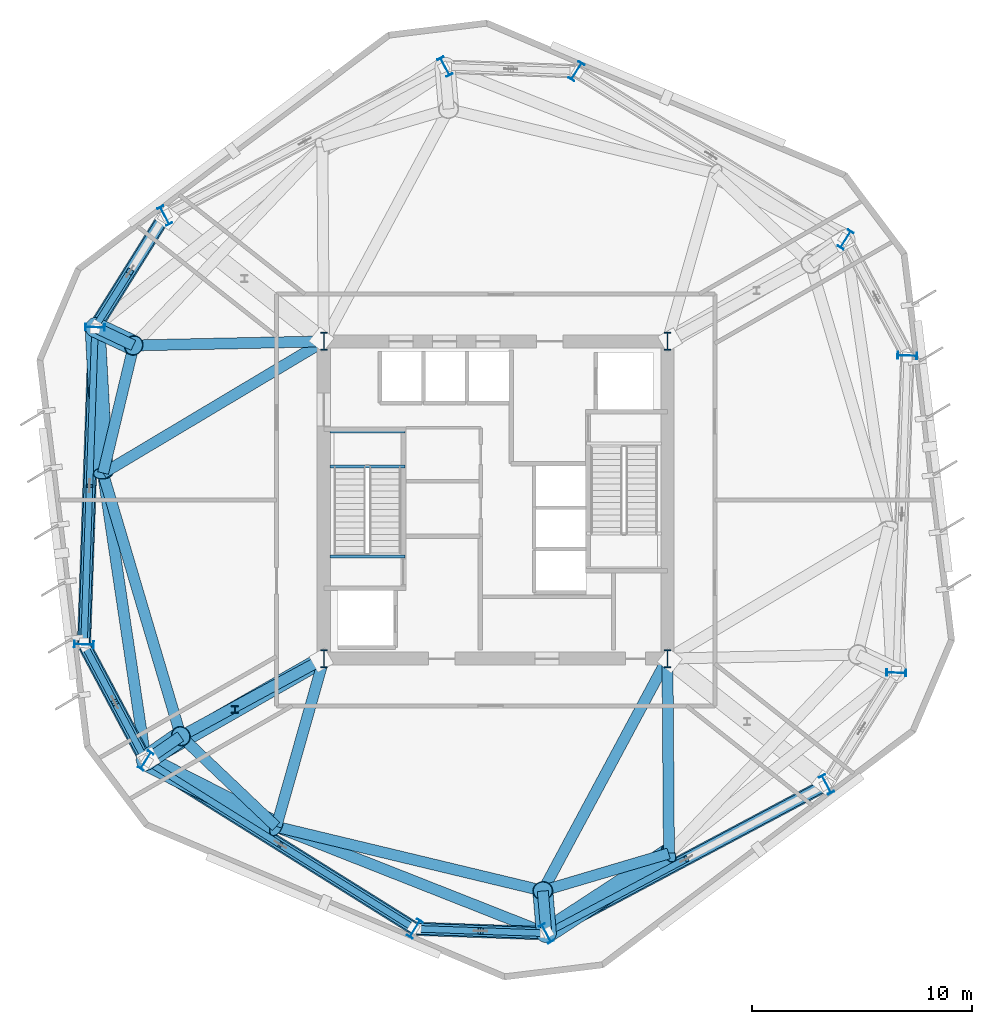
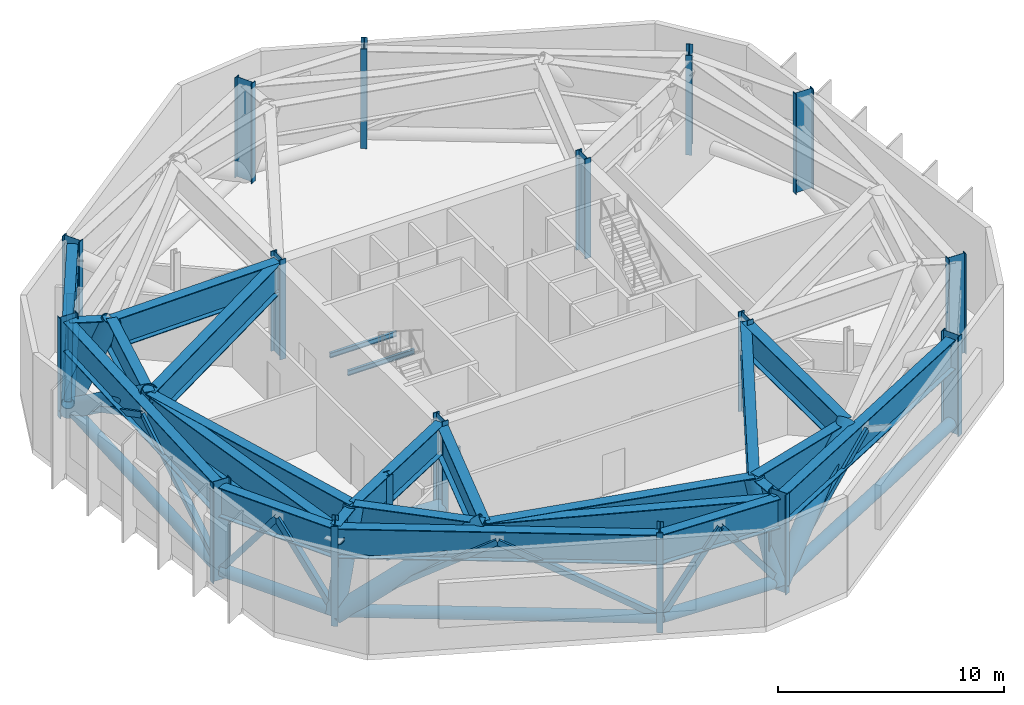
# One storey, part 1 of 11: 25 beams, 24 members, 16 columns.
"""IFC4 building model written with IfcOpenShell, lengths in metres."""

from ifc_helpers import new_model, si_unit, direction, frame, origin, origin_2d, place, context, subcontext, project, spatial, hollow_rectangle, hollow_circle, i_section, extrude, material, material_profile, profile_set, type_object, element, save


model = new_model("IFC4")

# Units and contexts
model_context = context("Model", 3, precision=1e-05, world=origin(), true_north=direction((0.0, 1.0)))
body_context = subcontext(model_context, "Body", "Model", "MODEL_VIEW")
ifc_project = project(units=[si_unit("LENGTHUNIT", "METRE"), si_unit("AREAUNIT", "SQUARE_METRE"), si_unit("VOLUMEUNIT", "CUBIC_METRE"), si_unit("PLANEANGLEUNIT", "RADIAN"), si_unit("MASSUNIT", "GRAM", prefix="KILO")], contexts=[model_context])

# Site, building, storey
site_placement = place(None, origin())
site = spatial("IfcSite", under=ifc_project, at=site_placement, CompositionType="ELEMENT")
building_placement = place(site_placement, origin())
building = spatial("IfcBuilding", under=site, at=building_placement, Name="Kranzbogen Civic Tower", CompositionType="ELEMENT")
storey_placement = place(building_placement, frame((0.0, 0.0, 170.39990234375)))
storey = spatial("IfcBuildingStorey", under=building, at=storey_placement, Name="L41", CompositionType="ELEMENT", Elevation=170.39990234375)

# Columns
ifc_material_1 = material(Name="Steel S355", Category="steel")
ifc_material_profile_1 = material_profile(ifc_material_1, i_section(OverallWidth=0.300048828125, OverallDepth=0.89990234375, WebThickness=0.0185546875, FlangeThickness=0.034912109375, at=origin_2d()), Name="HEB 900")
ifc_profile_set_1 = profile_set([ifc_material_profile_1], Name="Steel S355")
column_type_1 = type_object("IfcColumnType", Name="Structural Column HEB 900", PredefinedType="COLUMN", material=ifc_profile_set_1)
for number, where, z_axis, x_axis, name in (
    (1, (40.885986328125, 36.8291015625, 0.0), (0.0, 0.0, 1.0), (-0.848048096156, 0.529919264233, 0.0), "L41 tower perimeter tube column 01"),
    (2, (28.66796875, 44.464111328125, 0.0), (0.0, 0.0, 1.0), (-0.848048096156, 0.529919264233, 0.0), "L41 tower perimeter tube column 02"),
    (3, (22.698974609375, 44.672119140625, 0.0), (0.0, 0.0, 1.0), (0.882947592859, 0.469471562786, 0.0), "L41 tower perimeter tube column 03"),
    (4, (9.97705078125, 37.907958984375, 0.0), (0.0, 0.0, 1.0), (0.882947592859, 0.469471562786, 0.0), "L41 tower perimeter tube column 04"),
    (5, (6.81298828125, 32.843994140625, 0.0), (0.0, 0.0, 1.0), (0.034899496703, 0.999390827019, 0.0), "L41 tower perimeter tube column 05"),
    (6, (6.31005859375, 18.444091796875, 0.0), (0.0, 0.0, 1.0), (0.034899496703, 0.999390827019, 0.0), "L41 tower perimeter tube column 06"),
    (7, (9.114013671875, 13.1708984375, 0.0), (0.0, 0.0, 1.0), (-0.848048096156, 0.529919264233, 0.0), "L41 tower perimeter tube column 07"),
    (8, (21.33203125, 5.535888671875, 0.0), (0.0, 0.0, 1.0), (-0.848048096156, 0.529919264233, 0.0), "L41 tower perimeter tube column 08"),
    (9, (27.301025390625, 5.327880859375, 0.0), (0.0, 0.0, 1.0), (0.882947592859, 0.469471562786, 0.0), "L41 tower perimeter tube column 09"),
    (10, (40.02294921875, 12.092041015625, 0.0), (0.0, 0.0, 1.0), (0.882947592859, 0.469471562786, 0.0), "L41 tower perimeter tube column 10"),
    (11, (43.18701171875, 17.156005859375, 0.0), (0.0, 0.0, 1.0), (0.034899496703, 0.999390827019, 0.0), "L41 tower perimeter tube column 11"),
    (12, (43.68994140625, 31.555908203125, 0.0), (0.0, 0.0, 1.0), (0.034899496703, 0.999390827019, 0.0), "L41 tower perimeter tube column 12"),
):
    element("IfcColumn", number, at=place(storey_placement, frame(where, z_axis=z_axis, x_axis=x_axis)), inside=storey, type_object=column_type_1, Name=name, PredefinedType="COLUMN", context=body_context, shape_type="SweptSolid", body=[
        extrude(i_section(OverallWidth=0.300048828125, OverallDepth=0.89990234375, WebThickness=0.0185546875, FlangeThickness=0.034912109375, at=origin_2d()), origin(), (0.0, 0.0, 1.0), 5.400146484375),
    ])
ifc_material_2 = material(Name="Steel S460", Category="steel")
ifc_material_profile_2 = material_profile(ifc_material_2, i_section(OverallWidth=0.302978515625, OverallDepth=0.81396484375, WebThickness=0.02099609375, FlangeThickness=0.0400390625, at=origin_2d()), Name="HEM 800")
ifc_profile_set_2 = profile_set([ifc_material_profile_2], Name="Steel S460")
column_type_2 = type_object("IfcColumnType", Name="Structural Column HEM 800", PredefinedType="COLUMN", material=ifc_profile_set_2)
for number, where, z_axis, x_axis, name in (
    (13, (17.199951171875, 17.800048828125, 0.0), (0.0, 0.0, 1.0), (1.0, 0.0, 0.0), "L41 composite core corner column 1"),
    (14, (32.800048828125, 17.800048828125, 0.0), (0.0, 0.0, 1.0), (1.0, 0.0, 0.0), "L41 composite core corner column 2"),
    (15, (32.800048828125, 32.199951171875, 0.0), (0.0, 0.0, 1.0), (1.0, 0.0, 0.0), "L41 composite core corner column 3"),
    (16, (17.199951171875, 32.199951171875, 0.0), (0.0, 0.0, 1.0), (1.0, 0.0, 0.0), "L41 composite core corner column 4"),
):
    element("IfcColumn", number, at=place(storey_placement, frame(where, z_axis=z_axis, x_axis=x_axis)), inside=storey, type_object=column_type_2, Name=name, PredefinedType="COLUMN", context=body_context, shape_type="SweptSolid", body=[
        extrude(i_section(OverallWidth=0.302978515625, OverallDepth=0.81396484375, WebThickness=0.02099609375, FlangeThickness=0.0400390625, at=origin_2d()), origin(), (0.0, 0.0, 1.0), 5.400146484375),
    ])

# Members
ifc_material_profile_3 = material_profile(ifc_material_1, hollow_circle(Radius=0.304931640625, WallThickness=0.030029296875, at=origin_2d()), Name="CHS 610x30")
ifc_profile_set_3 = profile_set([ifc_material_profile_3], Name="Steel S355")
member_type_1 = type_object("IfcMemberType", Name="Belt Truss Bottom Chord CHS 610x30", PredefinedType="CHORD", material=ifc_profile_set_3)
member_1_placement = place(storey_placement, frame((6.347900390625, 18.373046875, 0.550048828125), z_axis=(0.469440869476, -0.882963912097, 0.0), x_axis=(0.882963912097, 0.469440869476, 0.0)))
element("IfcMember", 17, at=member_1_placement, inside=storey, type_object=member_type_1, Name="RNG-1: L41 belt truss bottom chord 01", PredefinedType="CHORD", context=body_context, shape_type="SweptSolid", body=[
    extrude(hollow_circle(Radius=0.304931640625, WallThickness=0.030029296875, at=origin_2d()), origin(), (0.0, 0.0, 1.0), 5.811279296875),
])
member_2_placement = place(storey_placement, frame((9.181884765625, 13.12890625, 0.550048828125), z_axis=(0.848006005304, -0.529986617726, 0.0), x_axis=(0.529986617726, 0.848006005304, 0.0)))
element("IfcMember", 18, at=member_2_placement, inside=storey, type_object=member_type_1, Name="RNG-1: L41 belt truss bottom chord 02", PredefinedType="CHORD", context=body_context, shape_type="SweptSolid", body=[
    extrude(hollow_circle(Radius=0.304931640625, WallThickness=0.030029296875, at=origin_2d()), origin(), (0.0, 0.0, 1.0), 14.24755859375),
])
member_3_placement = place(storey_placement, frame((21.412109375, 5.532958984375, 0.550048828125), z_axis=(0.999396483261, -0.034737145028, 0.0), x_axis=(0.034737145028, 0.999396483261, 0.0)))
element("IfcMember", 19, at=member_3_placement, inside=storey, type_object=member_type_1, Name="RNG-1: L41 belt truss bottom chord 03", PredefinedType="CHORD", context=body_context, shape_type="SweptSolid", body=[
    extrude(hollow_circle(Radius=0.304931640625, WallThickness=0.030029296875, at=origin_2d()), origin(), (0.0, 0.0, 1.0), 5.812255859375),
])
member_4_placement = place(storey_placement, frame((27.3720703125, 5.365966796875, 0.550048828125), z_axis=(0.882971685051, 0.469426249157, 0.0), x_axis=(-0.469426249157, 0.882971685051, 0.0)))
element("IfcMember", 20, at=member_4_placement, inside=storey, type_object=member_type_1, Name="RNG-1: L41 belt truss bottom chord 04", PredefinedType="CHORD", context=body_context, shape_type="SweptSolid", body=[
    extrude(hollow_circle(Radius=0.304931640625, WallThickness=0.030029296875, at=origin_2d()), origin(), (0.0, 0.0, 1.0), 14.2470703125),
])
member_5_placement = place(storey_placement, frame((9.93505859375, 37.840087890625, 0.550048828125), z_axis=(-0.530010268754, -0.847991223431, 0.0), x_axis=(0.847991223431, -0.530010268754, 0.0)))
element("IfcMember", 21, at=member_5_placement, inside=storey, type_object=member_type_1, Name="RNG-1: L41 belt truss bottom chord 11", PredefinedType="CHORD", context=body_context, shape_type="SweptSolid", body=[
    extrude(hollow_circle(Radius=0.304931640625, WallThickness=0.030029296875, at=origin_2d()), origin(), (0.0, 0.0, 1.0), 5.811279296875),
])
member_6_placement = place(storey_placement, frame((6.81005859375, 32.763916015625, 0.550048828125), z_axis=(-0.034885400001, -0.999391319187, 0.0), x_axis=(0.999391319187, -0.034885400001, 0.0)))
element("IfcMember", 22, at=member_6_placement, inside=storey, type_object=member_type_1, Name="RNG-1: L41 belt truss bottom chord 12", PredefinedType="CHORD", context=body_context, shape_type="SweptSolid", body=[
    extrude(hollow_circle(Radius=0.304931640625, WallThickness=0.030029296875, at=origin_2d()), origin(), (0.0, 0.0, 1.0), 14.248779296875),
])
ifc_material_profile_4 = material_profile(ifc_material_2, hollow_circle(Radius=0.381103515625, WallThickness=0.031982421875, at=origin_2d()), Name="CHS 762x32")
ifc_profile_set_4 = profile_set([ifc_material_profile_4], Name="Steel S460")
member_type_2 = type_object("IfcMemberType", Name="Outrigger Truss Chord CHS 762x32", PredefinedType="CHORD", material=ifc_profile_set_4)
member_7_placement = place(storey_placement, frame((17.070068359375, 17.72509765625, 0.550048828125), z_axis=(-0.796916211363, -0.456083878639, 0.396121253801), x_axis=(0.496716148892, -0.867913052921, 0.0)))
element("IfcMember", 23, at=member_7_placement, inside=storey, type_object=member_type_2, Name="OUT-1: L41 radial outrigger strut 1", PredefinedType="CHORD", context=body_context, shape_type="SweptSolid", body=[
    extrude(hollow_circle(Radius=0.381103515625, WallThickness=0.031982421875, at=origin_2d()), origin(), (0.0, 0.0, 1.0), 9.820556640625),
])
ifc_material_profile_5 = material_profile(ifc_material_1, i_section(OverallWidth=0.31005859375, OverallDepth=0.340087890625, WebThickness=0.02099609375, FlangeThickness=0.0390625, at=origin_2d()), Name="HEM 300")
ifc_profile_set_5 = profile_set([ifc_material_profile_5], Name="Steel S355")
member_type_3 = type_object("IfcMemberType", Name="Outrigger Truss Vertical Post HEM 300", PredefinedType="POST", material=ifc_profile_set_5)
member_8_placement = place(storey_placement, frame((13.156982421875, 15.486083984375, 0.550048828125), z_axis=(0.0, 0.0, 1.0), x_axis=(1.0, 0.0, 0.0)))
element("IfcMember", 24, at=member_8_placement, inside=storey, type_object=member_type_3, Name="PST-3: L41 outrigger web post 1", PredefinedType="POST", context=body_context, shape_type="SweptSolid", body=[
    extrude(i_section(OverallWidth=0.31005859375, OverallDepth=0.340087890625, WebThickness=0.02099609375, FlangeThickness=0.0390625, at=origin_2d()), origin(), (0.0, 0.0, 1.0), 4.590087890625),
])
ifc_material_profile_6 = material_profile(ifc_material_2, hollow_circle(Radius=0.45703125, WallThickness=0.035888671875, at=origin_2d()), Name="CHS 914x36")
ifc_profile_set_6 = profile_set([ifc_material_profile_6], Name="Steel S460")
member_type_4 = type_object("IfcMemberType", Name="Portal Arch Thrust Strut CHS 914x36", PredefinedType="STRUT", material=ifc_profile_set_6)
member_9_placement = place(storey_placement, frame((9.114013671875, 13.1708984375, 0.35009765625), z_axis=(0.31390354628, 0.217736007734, 0.924151283378), x_axis=(-0.569949700686, 0.821679583954, 0.0)))
element("IfcMember", 25, at=member_9_placement, inside=storey, type_object=member_type_4, Name="STR-1: L41 inclined perimeter transfer strut 01", PredefinedType="STRUT", context=body_context, shape_type="SweptSolid", body=[
    extrude(hollow_circle(Radius=0.45703125, WallThickness=0.035888671875, at=origin_2d()), origin(), (0.0, 0.0, 1.0), 5.074951171875),
])
member_10_placement = place(storey_placement, frame((9.114013671875, 13.1708984375, 0.35009765625), z_axis=(0.728567626996, -0.369612453071, 0.576693894045), x_axis=(0.452424000668, 0.89180296233, 0.0)))
element("IfcMember", 26, at=member_10_placement, inside=storey, type_object=member_type_4, Name="STR-1: L41 inclined perimeter transfer strut 02", PredefinedType="STRUT", context=body_context, shape_type="SweptSolid", body=[
    extrude(hollow_circle(Radius=0.45703125, WallThickness=0.035888671875, at=origin_2d()), origin(), (0.0, 0.0, 1.0), 8.132568359375),
])
member_11_placement = place(storey_placement, frame((27.301025390625, 5.327880859375, 0.35009765625), z_axis=(-0.031750917318, 0.380722363114, 0.924144123757), x_axis=(-0.99654054575, -0.08310800609, 0.0)))
element("IfcMember", 27, at=member_11_placement, inside=storey, type_object=member_type_4, Name="STR-1: L41 inclined perimeter transfer strut 03", PredefinedType="STRUT", context=body_context, shape_type="SweptSolid", body=[
    extrude(hollow_circle(Radius=0.45703125, WallThickness=0.035888671875, at=origin_2d()), origin(), (0.0, 0.0, 1.0), 5.074951171875),
])
member_12_placement = place(storey_placement, frame((27.301025390625, 5.327880859375, 0.35009765625), z_axis=(0.684398699989, 0.446129006077, 0.576686508764), x_axis=(-0.546080577331, 0.837732656079, 0.0)))
element("IfcMember", 28, at=member_12_placement, inside=storey, type_object=member_type_4, Name="STR-1: L41 inclined perimeter transfer strut 04", PredefinedType="STRUT", context=body_context, shape_type="SweptSolid", body=[
    extrude(hollow_circle(Radius=0.45703125, WallThickness=0.035888671875, at=origin_2d()), origin(), (0.0, 0.0, 1.0), 8.132568359375),
])
member_13_placement = place(storey_placement, frame((6.81298828125, 32.843994140625, 0.35009765625), z_axis=(0.345587232402, -0.163124485673, 0.92409948976), x_axis=(0.426857626729, 0.904318841174, 0.0)))
element("IfcMember", 29, at=member_13_placement, inside=storey, type_object=member_type_4, Name="STR-1: L41 inclined perimeter transfer strut 11", PredefinedType="STRUT", context=body_context, shape_type="SweptSolid", body=[
    extrude(hollow_circle(Radius=0.45703125, WallThickness=0.035888671875, at=origin_2d()), origin(), (0.0, 0.0, 1.0), 5.0751953125),
])
member_14_placement = place(storey_placement, frame((6.81298828125, 32.843994140625, 0.35009765625), z_axis=(0.044156511956, -0.815799813342, 0.576646223436), x_axis=(0.998538363642, 0.054047537731, 0.0)))
element("IfcMember", 30, at=member_14_placement, inside=storey, type_object=member_type_4, Name="STR-1: L41 inclined perimeter transfer strut 12", PredefinedType="STRUT", context=body_context, shape_type="SweptSolid", body=[
    extrude(hollow_circle(Radius=0.45703125, WallThickness=0.035888671875, at=origin_2d()), origin(), (0.0, 0.0, 1.0), 8.133056640625),
])

# Beams
ifc_material_profile_7 = material_profile(ifc_material_1, i_section(OverallWidth=0.135009765625, OverallDepth=0.27001953125, WebThickness=0.006591796875, FlangeThickness=0.01025390625, at=origin_2d()), Name="IPE 270")
ifc_profile_set_7 = profile_set([ifc_material_profile_7], Name="Steel S355")
beam_type_1 = type_object("IfcBeamType", Name="Stair Landing Support Beam IPE 270", PredefinedType="JOIST", material=ifc_profile_set_7)
for number, where, z_axis, x_axis, name in (
    (31, (20.8798828125, 22.43994140625, -0.434814453125), (-1.0, 0.0, 0.0), (0.0, -1.0, 0.0), "L41 ST-T1 stair floor header beam"),
    (32, (20.8798828125, 26.52001953125, 2.364990234375), (-1.0, 0.0, 0.0), (0.0, -1.0, 0.0), "L41 ST-T1 landing support beam 1.1"),
    (33, (20.8798828125, 28.10009765625, 2.364990234375), (-1.0, 0.0, 0.0), (0.0, -1.0, 0.0), "L41 ST-T1 landing support beam 1.2"),
):
    element("IfcBeam", number, at=place(storey_placement, frame(where, z_axis=z_axis, x_axis=x_axis)), inside=storey, type_object=beam_type_1, Name=name, PredefinedType="JOIST", context=body_context, shape_type="SweptSolid", body=[
        extrude(i_section(OverallWidth=0.135009765625, OverallDepth=0.27001953125, WebThickness=0.006591796875, FlangeThickness=0.01025390625, at=origin_2d()), origin(), (0.0, 0.0, 1.0), 3.409912109375),
    ])
ifc_material_profile_8 = material_profile(ifc_material_2, i_section(OverallWidth=0.5, OverallDepth=1.60009765625, WebThickness=0.02587890625, FlangeThickness=0.0400390625, at=origin_2d()), Name="WPG 1600x500x26x40")
ifc_profile_set_8 = profile_set([ifc_material_profile_8], Name="Steel S460")
beam_type_2 = type_object("IfcBeamType", Name="Welded Transfer Girder WPG 1600x500x26x40", PredefinedType="BEAM", material=ifc_profile_set_8)
beam_1_placement = place(storey_placement, frame((6.337890625, 18.39111328125, 4.330078125), z_axis=(0.469565926668, -0.882897412224, 0.0), x_axis=(0.882897412224, 0.469565926668, 0.0)))
element("IfcBeam", 34, at=beam_1_placement, inside=storey, type_object=beam_type_2, Name="TG-1600: L41 lower perimeter transfer ring girder 01", PredefinedType="BEAM", context=body_context, shape_type="SweptSolid", body=[
    extrude(i_section(OverallWidth=0.5, OverallDepth=1.60009765625, WebThickness=0.02587890625, FlangeThickness=0.0400390625, at=origin_2d()), origin(), (0.0, 0.0, 1.0), 5.852294921875),
])
beam_2_placement = place(storey_placement, frame((9.1650390625, 13.138916015625, 4.330078125), z_axis=(0.848051101349, -0.52991445489, 0.0), x_axis=(0.52991445489, 0.848051101349, 0.0)))
element("IfcBeam", 35, at=beam_2_placement, inside=storey, type_object=beam_type_2, Name="TG-1600: L41 lower perimeter transfer ring girder 02", PredefinedType="BEAM", context=body_context, shape_type="SweptSolid", body=[
    extrude(i_section(OverallWidth=0.5, OverallDepth=1.60009765625, WebThickness=0.02587890625, FlangeThickness=0.0400390625, at=origin_2d()), origin(), (0.0, 0.0, 1.0), 14.286865234375),
])
beam_3_placement = place(storey_placement, frame((21.39208984375, 5.533935546875, 4.330078125), z_axis=(0.999393148233, -0.03483296234, 0.0), x_axis=(0.03483296234, 0.999393148233, 0.0)))
element("IfcBeam", 36, at=beam_3_placement, inside=storey, type_object=beam_type_2, Name="TG-1600: L41 lower perimeter transfer ring girder 03", PredefinedType="BEAM", context=body_context, shape_type="SweptSolid", body=[
    extrude(i_section(OverallWidth=0.5, OverallDepth=1.60009765625, WebThickness=0.02587890625, FlangeThickness=0.0400390625, at=origin_2d()), origin(), (0.0, 0.0, 1.0), 5.8525390625),
])
beam_4_placement = place(storey_placement, frame((27.35400390625, 5.35595703125, 4.330078125), z_axis=(0.882948194046, 0.469470432116, 0.0), x_axis=(-0.469470432116, 0.882948194046, 0.0)))
element("IfcBeam", 37, at=beam_4_placement, inside=storey, type_object=beam_type_2, Name="TG-1600: L41 lower perimeter transfer ring girder 04", PredefinedType="BEAM", context=body_context, shape_type="SweptSolid", body=[
    extrude(i_section(OverallWidth=0.5, OverallDepth=1.60009765625, WebThickness=0.02587890625, FlangeThickness=0.0400390625, at=origin_2d()), origin(), (0.0, 0.0, 1.0), 14.28857421875),
])
beam_5_placement = place(storey_placement, frame((9.945068359375, 37.85693359375, 4.330078125), z_axis=(-0.529863902903, -0.848082687242, 0.0), x_axis=(0.848082687242, -0.529863902903, 0.0)))
element("IfcBeam", 38, at=beam_5_placement, inside=storey, type_object=beam_type_2, Name="TG-1600: L41 lower perimeter transfer ring girder 11", PredefinedType="BEAM", context=body_context, shape_type="SweptSolid", body=[
    extrude(i_section(OverallWidth=0.5, OverallDepth=1.60009765625, WebThickness=0.02587890625, FlangeThickness=0.0400390625, at=origin_2d()), origin(), (0.0, 0.0, 1.0), 5.850830078125),
])
beam_6_placement = place(storey_placement, frame((6.81103515625, 32.783935546875, 4.330078125), z_axis=(-0.034924229103, -0.999389963038, 0.0), x_axis=(0.999389963038, -0.034924229103, 0.0)))
element("IfcBeam", 39, at=beam_6_placement, inside=storey, type_object=beam_type_2, Name="TG-1600: L41 lower perimeter transfer ring girder 12", PredefinedType="BEAM", context=body_context, shape_type="SweptSolid", body=[
    extrude(i_section(OverallWidth=0.5, OverallDepth=1.60009765625, WebThickness=0.02587890625, FlangeThickness=0.0400390625, at=origin_2d()), origin(), (0.0, 0.0, 1.0), 14.288818359375),
])
beam_7_placement = place(storey_placement, frame((10.718017578125, 14.26611328125, 4.340087890625), z_axis=(0.725292730722, -0.688440596393, 0.0), x_axis=(0.688440596393, 0.725292730722, 0.0)))
element("IfcBeam", 40, at=beam_7_placement, inside=storey, type_object=beam_type_2, Name="TG-1600: L41 upper perimeter transfer ring girder 01", PredefinedType="BEAM", context=body_context, shape_type="SweptSolid", body=[
    extrude(i_section(OverallWidth=0.5, OverallDepth=1.60009765625, WebThickness=0.02587890625, FlangeThickness=0.0400390625, at=origin_2d()), origin(), (0.0, 0.0, 1.0), 5.942626953125),
])
beam_8_placement = place(storey_placement, frame((15.053955078125, 10.160888671875, 4.340087890625), z_axis=(0.972388730116, -0.233367001831, 0.0), x_axis=(0.233367001831, 0.972388730116, 0.0)))
element("IfcBeam", 41, at=beam_8_placement, inside=storey, type_object=beam_type_2, Name="TG-1600: L41 upper perimeter transfer ring girder 02", PredefinedType="BEAM", context=body_context, shape_type="SweptSolid", body=[
    extrude(i_section(OverallWidth=0.5, OverallDepth=1.60009765625, WebThickness=0.02587890625, FlangeThickness=0.0400390625, at=origin_2d()), origin(), (0.0, 0.0, 1.0), 12.413818359375),
])
beam_9_placement = place(storey_placement, frame((27.154052734375, 7.263916015625, 4.340087890625), z_axis=(0.958825457402, 0.283996025039, 0.0), x_axis=(-0.283996025039, 0.958825457402, 0.0)))
element("IfcBeam", 42, at=beam_9_placement, inside=storey, type_object=beam_type_2, Name="TG-1600: L41 upper perimeter transfer ring girder 03", PredefinedType="BEAM", context=body_context, shape_type="SweptSolid", body=[
    extrude(i_section(OverallWidth=0.5, OverallDepth=1.60009765625, WebThickness=0.02587890625, FlangeThickness=0.0400390625, at=origin_2d()), origin(), (0.0, 0.0, 1.0), 5.943603515625),
])
beam_10_placement = place(storey_placement, frame((8.56298828125, 32.0009765625, 4.340087890625), z_axis=(-0.233455326256, -0.972367528583, 0.0), x_axis=(0.972367528583, -0.233455326256, 0.0)))
element("IfcBeam", 43, at=beam_10_placement, inside=storey, type_object=beam_type_2, Name="TG-1600: L41 upper perimeter transfer ring girder 11", PredefinedType="BEAM", context=body_context, shape_type="SweptSolid", body=[
    extrude(i_section(OverallWidth=0.5, OverallDepth=1.60009765625, WebThickness=0.02587890625, FlangeThickness=0.0400390625, at=origin_2d()), origin(), (0.0, 0.0, 1.0), 5.94091796875),
])
beam_11_placement = place(storey_placement, frame((7.176025390625, 26.195068359375, 4.340087890625), z_axis=(0.284046822115, -0.958810410272, 0.0), x_axis=(0.958810410272, 0.284046822115, 0.0)))
element("IfcBeam", 44, at=beam_11_placement, inside=storey, type_object=beam_type_2, Name="TG-1600: L41 upper perimeter transfer ring girder 12", PredefinedType="BEAM", context=body_context, shape_type="SweptSolid", body=[
    extrude(i_section(OverallWidth=0.5, OverallDepth=1.60009765625, WebThickness=0.02587890625, FlangeThickness=0.0400390625, at=origin_2d()), origin(), (0.0, 0.0, 1.0), 12.41650390625),
])
beam_12_placement = place(storey_placement, frame((17.14697265625, 17.77099609375, 4.340087890625), z_axis=(-0.878905422159, -0.476996078495, 0.0), x_axis=(0.476996078495, -0.878905422159, 0.0)))
element("IfcBeam", 45, at=beam_12_placement, inside=storey, type_object=beam_type_2, Name="TG-1600: L41 radial column transfer girder 01", PredefinedType="BEAM", context=body_context, shape_type="SweptSolid", body=[
    extrude(i_section(OverallWidth=0.5, OverallDepth=1.60009765625, WebThickness=0.02587890625, FlangeThickness=0.0400390625, at=origin_2d()), origin(), (0.0, 0.0, 1.0), 7.3125),
])
beam_13_placement = place(storey_placement, frame((9.155029296875, 13.198974609375, 4.330078125), z_axis=(0.821708874611, 0.569907470898, 0.0), x_axis=(-0.569907470898, 0.821708874611, 0.0)))
element("IfcBeam", 46, at=beam_13_placement, inside=storey, type_object=beam_type_2, Name="TG-1600: L41 perimeter column transfer girder 01", PredefinedType="BEAM", context=body_context, shape_type="SweptSolid", body=[
    extrude(i_section(OverallWidth=0.5, OverallDepth=1.60009765625, WebThickness=0.02587890625, FlangeThickness=0.0400390625, at=origin_2d()), origin(), (0.0, 0.0, 1.0), 1.874267578125),
])
beam_14_placement = place(storey_placement, frame((17.18408203125, 17.741943359375, 4.340087890625), z_axis=(-0.272398426415, -0.962184544298, 0.0), x_axis=(0.962184544298, -0.272398426415, 0.0)))
element("IfcBeam", 47, at=beam_14_placement, inside=storey, type_object=beam_type_2, Name="TG-1600: L41 radial column transfer girder 02", PredefinedType="BEAM", context=body_context, shape_type="SweptSolid", body=[
    extrude(i_section(OverallWidth=0.5, OverallDepth=1.60009765625, WebThickness=0.02587890625, FlangeThickness=0.0400390625, at=origin_2d()), origin(), (0.0, 0.0, 1.0), 7.860107421875),
])
beam_15_placement = place(storey_placement, frame((27.25390625, 5.345947265625, 4.330078125), z_axis=(-0.930237672986, 0.366957588499, 0.0), x_axis=(-0.366957588499, -0.930237672986, 0.0)))
element("IfcBeam", 48, at=beam_15_placement, inside=storey, type_object=beam_type_2, Name="TG-1600: L41 perimeter column transfer girder 02", PredefinedType="BEAM", context=body_context, shape_type="SweptSolid", body=[
    extrude(i_section(OverallWidth=0.5, OverallDepth=1.60009765625, WebThickness=0.02587890625, FlangeThickness=0.0400390625, at=origin_2d()), origin(), (0.0, 0.0, 1.0), 13.115966796875),
])
beam_16_placement = place(storey_placement, frame((32.77197265625, 17.7470703125, 4.340087890625), z_axis=(-0.473127228264, -0.880994112282, 0.0), x_axis=(0.880994112282, -0.473127228264, 0.0)))
element("IfcBeam", 49, at=beam_16_placement, inside=storey, type_object=beam_type_2, Name="TG-1600: L41 radial column transfer girder 03", PredefinedType="BEAM", context=body_context, shape_type="SweptSolid", body=[
    extrude(i_section(OverallWidth=0.5, OverallDepth=1.60009765625, WebThickness=0.02587890625, FlangeThickness=0.0400390625, at=origin_2d()), origin(), (0.0, 0.0, 1.0), 11.888916015625),
])
beam_17_placement = place(storey_placement, frame((27.297119140625, 5.3779296875, 4.330078125), z_axis=(-0.083261145438, 0.996527762614, 0.0), x_axis=(-0.996527762614, -0.083261145438, 0.0)))
element("IfcBeam", 50, at=beam_17_placement, inside=storey, type_object=beam_type_2, Name="TG-1600: L41 perimeter column transfer girder 03", PredefinedType="BEAM", context=body_context, shape_type="SweptSolid", body=[
    extrude(i_section(OverallWidth=0.5, OverallDepth=1.60009765625, WebThickness=0.02587890625, FlangeThickness=0.0400390625, at=origin_2d()), origin(), (0.0, 0.0, 1.0), 1.873779296875),
])
beam_18_placement = place(storey_placement, frame((32.800048828125, 17.739990234375, 4.340087890625), z_axis=(0.007628265154, -0.999970904362, 0.0), x_axis=(0.999970904362, 0.007628265154, 0.0)))
element("IfcBeam", 51, at=beam_18_placement, inside=storey, type_object=beam_type_2, Name="TG-1600: L41 radial column transfer girder 04", PredefinedType="BEAM", context=body_context, shape_type="SweptSolid", body=[
    extrude(i_section(OverallWidth=0.5, OverallDepth=1.60009765625, WebThickness=0.02587890625, FlangeThickness=0.0400390625, at=origin_2d()), origin(), (0.0, 0.0, 1.0), 8.769287109375),
])
beam_19_placement = place(storey_placement, frame((17.139892578125, 32.198974609375, 4.340087890625), z_axis=(-0.999771790054, -0.021362766974, 0.0), x_axis=(0.021362766974, -0.999771790054, 0.0)))
element("IfcBeam", 52, at=beam_19_placement, inside=storey, type_object=beam_type_2, Name="TG-1600: L41 radial column transfer girder 11", PredefinedType="BEAM", context=body_context, shape_type="SweptSolid", body=[
    extrude(i_section(OverallWidth=0.5, OverallDepth=1.60009765625, WebThickness=0.02587890625, FlangeThickness=0.0400390625, at=origin_2d()), origin(), (0.0, 0.0, 1.0), 8.559814453125),
])
beam_20_placement = place(storey_placement, frame((6.85791015625, 32.822998046875, 4.330078125), z_axis=(0.904129892247, -0.427257695011, 0.0), x_axis=(0.427257695011, 0.904129892247, 0.0)))
element("IfcBeam", 53, at=beam_20_placement, inside=storey, type_object=beam_type_2, Name="TG-1600: L41 perimeter column transfer girder 11", PredefinedType="BEAM", context=body_context, shape_type="SweptSolid", body=[
    extrude(i_section(OverallWidth=0.5, OverallDepth=1.60009765625, WebThickness=0.02587890625, FlangeThickness=0.0400390625, at=origin_2d()), origin(), (0.0, 0.0, 1.0), 1.874755859375),
])
beam_21_placement = place(storey_placement, frame((17.14794921875, 32.1689453125, 4.340087890625), z_axis=(-0.858473291662, -0.512858272335, 0.0), x_axis=(0.512858272335, -0.858473291662, 0.0)))
element("IfcBeam", 54, at=beam_21_placement, inside=storey, type_object=beam_type_2, Name="TG-1600: L41 radial column transfer girder 12", PredefinedType="BEAM", context=body_context, shape_type="SweptSolid", body=[
    extrude(i_section(OverallWidth=0.5, OverallDepth=1.60009765625, WebThickness=0.02587890625, FlangeThickness=0.0400390625, at=origin_2d()), origin(), (0.0, 0.0, 1.0), 11.60546875),
])
beam_22_placement = place(storey_placement, frame((9.10693359375, 13.219970703125, 4.330078125), z_axis=(-0.147351980867, 0.989084118634, 0.0), x_axis=(-0.989084118634, -0.147351980867, 0.0)))
element("IfcBeam", 55, at=beam_22_placement, inside=storey, type_object=beam_type_2, Name="TG-1600: L41 perimeter column transfer girder 12", PredefinedType="BEAM", context=body_context, shape_type="SweptSolid", body=[
    extrude(i_section(OverallWidth=0.5, OverallDepth=1.60009765625, WebThickness=0.02587890625, FlangeThickness=0.0400390625, at=origin_2d()), origin(), (0.0, 0.0, 1.0), 13.1171875),
])

# Members
ifc_material_profile_9 = material_profile(ifc_material_1, hollow_rectangle(XDim=0.300048828125, YDim=0.300048828125, WallThickness=0.01611328125, at=origin_2d()), Name="SHS 300x300x16")
ifc_profile_set_9 = profile_set([ifc_material_profile_9], Name="Steel S355")
member_type_5 = type_object("IfcMemberType", Name="Zone 2 Belt Truss Diagonal SHS 300x300x16", PredefinedType="BRACE", material=ifc_profile_set_9)
member_15_placement = place(storey_placement, frame((6.347900390625, 18.373046875, 0.650146484375), z_axis=(0.283286495465, -0.532702330653, 0.797481653961), x_axis=(0.88291760742, 0.469527952851, 0.0)))
element("IfcMember", 56, at=member_15_placement, inside=storey, type_object=member_type_5, Name="DG-300: L41 belt truss diagonal 01A", PredefinedType="BRACE", context=body_context, shape_type="SweptSolid", body=[
    extrude(hollow_rectangle(XDim=0.300048828125, YDim=0.300048828125, WallThickness=0.01611328125, at=origin_2d()), origin(), (0.0, 0.0, 1.0), 4.81494140625),
])
member_16_placement = place(storey_placement, frame((9.075927734375, 13.241943359375, 0.650146484375), z_axis=(-0.283248235637, 0.532883874133, 0.797373948469), x_axis=(-0.883010191017, -0.469353813834, 0.0)))
element("IfcMember", 57, at=member_16_placement, inside=storey, type_object=member_type_5, Name="DG-300: L41 belt truss diagonal 01B", PredefinedType="BRACE", context=body_context, shape_type="SweptSolid", body=[
    extrude(hollow_rectangle(XDim=0.300048828125, YDim=0.300048828125, WallThickness=0.01611328125, at=origin_2d()), origin(), (0.0, 0.0, 1.0), 4.815673828125),
])
member_17_placement = place(storey_placement, frame((9.181884765625, 13.12890625, 0.650146484375), z_axis=(0.746497870375, -0.466470662453, 0.474495574897), x_axis=(0.529925001306, 0.848044511209, 0.0)))
element("IfcMember", 58, at=member_17_placement, inside=storey, type_object=member_type_5, Name="DG-300: L41 belt truss diagonal 02A", PredefinedType="BRACE", context=body_context, shape_type="SweptSolid", body=[
    extrude(hollow_rectangle(XDim=0.300048828125, YDim=0.300048828125, WallThickness=0.01611328125, at=origin_2d()), origin(), (0.0, 0.0, 1.0), 8.092529296875),
])
member_18_placement = place(storey_placement, frame((21.263916015625, 5.577880859375, 0.650146484375), z_axis=(-0.74644534055, 0.466588671286, 0.474462185426), x_axis=(-0.530048225754, -0.847967498419, 0.0)))
element("IfcMember", 59, at=member_18_placement, inside=storey, type_object=member_type_5, Name="DG-300: L41 belt truss diagonal 02B", PredefinedType="BRACE", context=body_context, shape_type="SweptSolid", body=[
    extrude(hollow_rectangle(XDim=0.300048828125, YDim=0.300048828125, WallThickness=0.01611328125, at=origin_2d()), origin(), (0.0, 0.0, 1.0), 8.093017578125),
])
member_19_placement = place(storey_placement, frame((21.412109375, 5.532958984375, 0.650146484375), z_axis=(0.603043060141, -0.020990400782, 0.797432423902), x_axis=(0.034786399429, 0.999394770056, 0.0)))
element("IfcMember", 60, at=member_19_placement, inside=storey, type_object=member_type_5, Name="DG-300: L41 belt truss diagonal 03A", PredefinedType="BRACE", context=body_context, shape_type="SweptSolid", body=[
    extrude(hollow_rectangle(XDim=0.300048828125, YDim=0.300048828125, WallThickness=0.01611328125, at=origin_2d()), origin(), (0.0, 0.0, 1.0), 4.815185546875),
])
member_20_placement = place(storey_placement, frame((27.220947265625, 5.3310546875, 0.650146484375), z_axis=(-0.60320498071, 0.020936520467, 0.797311365376), x_axis=(-0.034687911072, -0.999398193327, 0.0)))
element("IfcMember", 61, at=member_20_placement, inside=storey, type_object=member_type_5, Name="DG-300: L41 belt truss diagonal 03B", PredefinedType="BRACE", context=body_context, shape_type="SweptSolid", body=[
    extrude(hollow_rectangle(XDim=0.300048828125, YDim=0.300048828125, WallThickness=0.01611328125, at=origin_2d()), origin(), (0.0, 0.0, 1.0), 4.81591796875),
])
member_21_placement = place(storey_placement, frame((27.3720703125, 5.365966796875, 0.650146484375), z_axis=(0.777251512562, 0.41321277626, 0.47448423341), x_axis=(-0.469419146507, 0.882975461093, 0.0)))
element("IfcMember", 62, at=member_21_placement, inside=storey, type_object=member_type_5, Name="DG-300: L41 belt truss diagonal 04A", PredefinedType="BRACE", context=body_context, shape_type="SweptSolid", body=[
    extrude(hollow_rectangle(XDim=0.300048828125, YDim=0.300048828125, WallThickness=0.01611328125, at=origin_2d()), origin(), (0.0, 0.0, 1.0), 8.0927734375),
])
member_22_placement = place(storey_placement, frame((6.85498046875, 32.912109375, 0.650146484375), z_axis=(0.319824467832, 0.511678587406, 0.797431710535), x_axis=(-0.847979421464, 0.530029150871, 0.0)))
element("IfcMember", 63, at=member_22_placement, inside=storey, type_object=member_type_5, Name="DG-300: L41 belt truss diagonal 11B", PredefinedType="BRACE", context=body_context, shape_type="SweptSolid", body=[
    extrude(hollow_rectangle(XDim=0.300048828125, YDim=0.300048828125, WallThickness=0.01611328125, at=origin_2d()), origin(), (0.0, 0.0, 1.0), 4.815185546875),
])
for number, where, z_axis, x_axis, name in (
    (64, (6.81005859375, 32.763916015625, 0.650146484375), (-0.030769672428, -0.879741134335, 0.474456282304), (0.999388906424, -0.03495445203, 0.0), "DG-300: L41 belt truss diagonal 12A"),
    (65, (6.31298828125, 18.52392578125, 0.650146484375), (0.030648307247, 0.879751213132, 0.474445449189), (-0.999393727108, 0.03481634984, 0.0), "DG-300: L41 belt truss diagonal 12B"),
):
    element("IfcMember", number, at=place(storey_placement, frame(where, z_axis=z_axis, x_axis=x_axis)), inside=storey, type_object=member_type_5, Name=name, PredefinedType="BRACE", context=body_context, shape_type="SweptSolid", body=[
        extrude(hollow_rectangle(XDim=0.300048828125, YDim=0.300048828125, WallThickness=0.01611328125, at=origin_2d()), origin(), (0.0, 0.0, 1.0), 8.09326171875),
    ])

save(model, "model.ifc")
